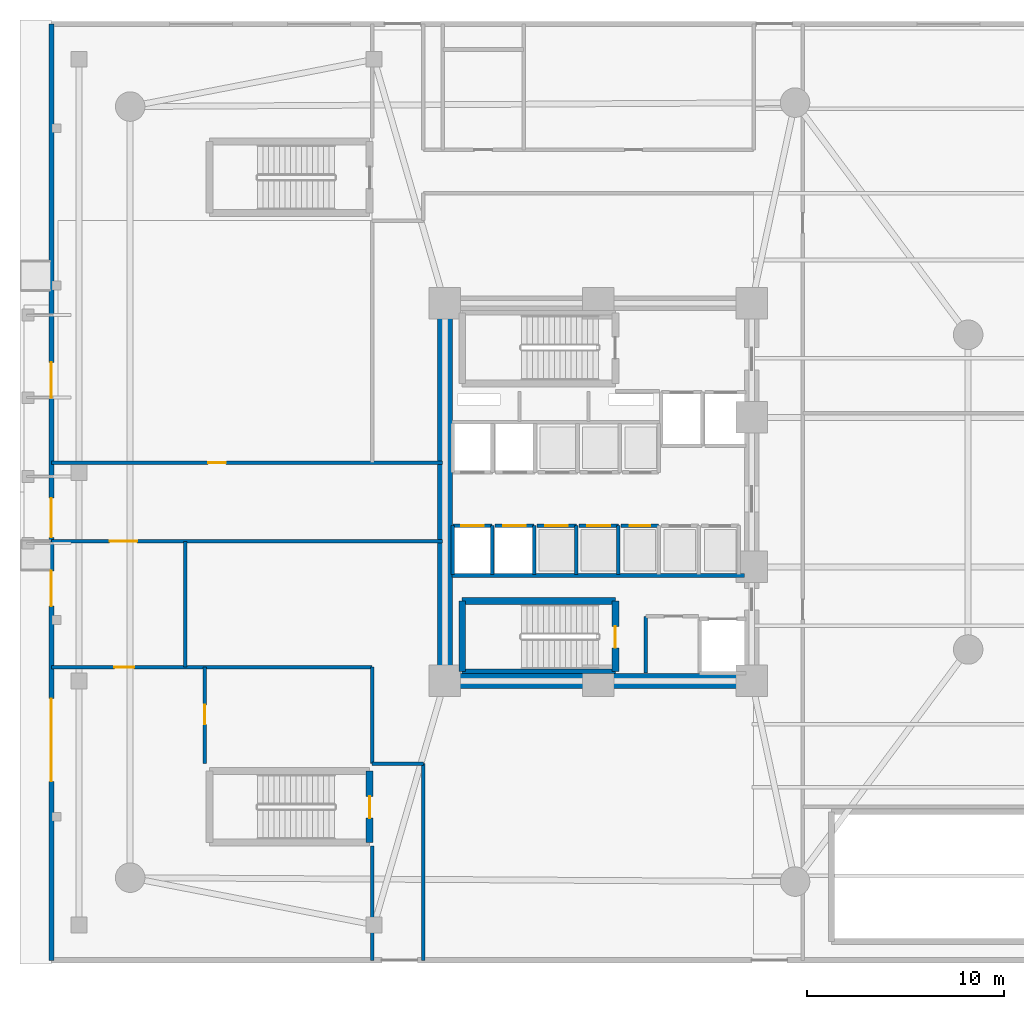
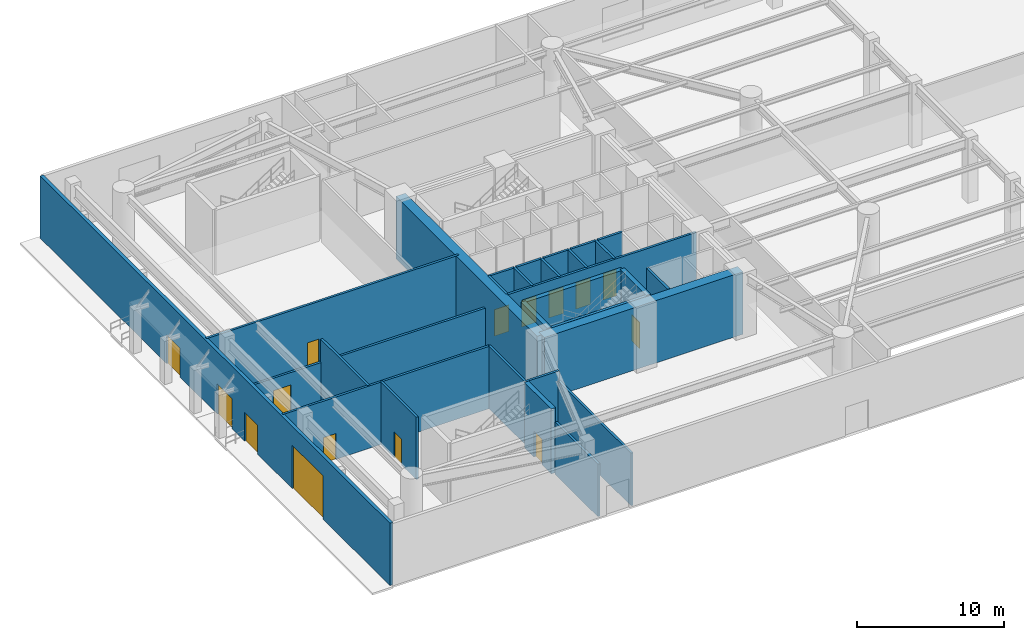
# One storey, part 6 of 16: 29 walls, 15 doors, 15 openings.
"""IFC4 building model written with IfcOpenShell, lengths in metres."""

from ifc_helpers import new_model, si_unit, direction, frame, frame_2d, origin, place, context, subcontext, project, spatial, rectangle, extrude, material, layer, layer_set, type_object, element, fill, save


model = new_model("IFC4")

# Units and contexts
model_context = context("Model", 3, precision=1e-05, world=origin(), true_north=direction((0.0, 1.0)))
body_context = subcontext(model_context, "Body", "Model", "MODEL_VIEW")
ifc_project = project(units=[si_unit("LENGTHUNIT", "METRE"), si_unit("AREAUNIT", "SQUARE_METRE"), si_unit("VOLUMEUNIT", "CUBIC_METRE"), si_unit("PLANEANGLEUNIT", "RADIAN"), si_unit("MASSUNIT", "GRAM", prefix="KILO")], contexts=[model_context])

# Site, building, storey
site_placement = place(None, origin())
site = spatial("IfcSite", under=ifc_project, at=site_placement, CompositionType="ELEMENT")
building_placement = place(site_placement, origin())
building = spatial("IfcBuilding", under=site, at=building_placement, Name="An Khanh Terracotta Commons", CompositionType="ELEMENT")
storey_placement = place(building_placement, origin())
storey = spatial("IfcBuildingStorey", under=building, at=storey_placement, Name="L01", CompositionType="ELEMENT", Elevation=0.0)

# Walls
ifc_material_1 = material(Name="Concrete C70/85", Category="concrete")
ifc_layer_1 = layer(ifc_material_1, 0.75, Name="Concrete C70/85")
ifc_layer_set_1 = layer_set([ifc_layer_1], Name="Concrete C70/85")
wall_type_1 = type_object("IfcWallType", Name="WALL-CORE-750", PredefinedType="SHEAR", material=ifc_layer_set_1)
wall_1_placement = place(storey_placement, frame((21.60009765625, 14.39990234375, 0.0), z_axis=(0.0, 0.0, 1.0), x_axis=(0.0, 1.0, 0.0)))
element("IfcWall", 1, at=wall_1_placement, inside=storey, type_object=wall_type_1, Name="L01 Core Wall CWALL-L01-W", PredefinedType="SHEAR", context=body_context, shape_type="SweptSolid", body=[
    extrude(rectangle(XDim=19.2001953125, YDim=0.75, at=frame_2d((9.60009765625, 0.0))), origin(), (0.0, 0.0, 1.0), 5.179931640625),
])
wall_2_placement = place(storey_placement, frame((37.199951171875, 14.39990234375, 0.0), z_axis=(0.0, 0.0, 1.0), x_axis=(-1.0, 0.0, 0.0)))
element("IfcWall", 2, at=wall_2_placement, inside=storey, type_object=wall_type_1, Name="L01 Core Wall CWALL-L01-S", PredefinedType="SHEAR", context=body_context, shape_type="SweptSolid", body=[
    extrude(rectangle(XDim=15.599853515625, YDim=0.75, at=frame_2d((7.7998046875, 0.0))), origin(), (0.0, 0.0, 1.0), 5.179931640625),
])
ifc_material_2 = material(Name="Fire-Rated Gypsum Board on Steel Stud", Category="steel")
ifc_layer_2 = layer(ifc_material_2, 0.179931640625, Name="Fire-Rated Gypsum Board on Steel Stud")
ifc_layer_set_2 = layer_set([ifc_layer_2], Name="Fire-Rated Gypsum Board on Steel Stud")
wall_type_2 = type_object("IfcWallType", Name="WALL-CORR-180", PredefinedType="PARTITIONING", material=ifc_layer_set_2)
wall_3_placement = place(storey_placement, frame((21.949951171875, 19.760009765625, 0.0), z_axis=(0.0, 0.0, 1.0), x_axis=(1.0, 0.0, 0.0)))
element("IfcWall", 3, at=wall_3_placement, inside=storey, type_object=wall_type_2, Name="L01 Core Wall SVW-L01-N", PredefinedType="PARTITIONING", context=body_context, shape_type="SweptSolid", body=[
    extrude(rectangle(XDim=14.8701171875, YDim=0.179931640625, at=frame_2d((7.43505859375, 0.0))), origin(), (0.0, 0.0, 1.0), 5.179931640625),
])
wall_4_placement = place(storey_placement, frame((31.820068359375, 14.800048828125, 0.0), z_axis=(0.0, 0.0, 1.0), x_axis=(0.0, 1.0, 0.0)))
element("IfcWall", 4, at=wall_4_placement, inside=storey, type_object=wall_type_2, Name="L01 Core Wall SSVCW-L01-W", PredefinedType="PARTITIONING", context=body_context, shape_type="SweptSolid", body=[
    extrude(rectangle(XDim=2.8798828125, YDim=0.179931640625, at=frame_2d((1.43994140625, 0.0))), origin(), (0.0, 0.0, 1.0), 5.179931640625),
])

# Wall, opening, door
wall_5_placement = place(storey_placement, frame((22.0, 22.300048828125, 0.0), z_axis=(0.0, 0.0, 1.0), x_axis=(1.0, 0.0, 0.0)))
wall_5 = element("IfcWall", 5, at=wall_5_placement, inside=storey, type_object=wall_type_2, Name="L01 Core Wall LSH-L01-PL-L3-N", PredefinedType="PARTITIONING", context=body_context, shape_type="SweptSolid", body=[
    extrude(rectangle(XDim=2.0, YDim=0.179931640625, at=frame_2d((1.0, 0.0))), origin(), (0.0, 0.0, 1.0), 5.179931640625),
])
opening_1_placement = place(wall_5_placement, frame((0.425048828125, 0.0, 0.0)))
opening_1 = element("IfcOpeningElement", 6, at=opening_1_placement, cuts=wall_5, Name="Opening LD-PL-L3-L01", PredefinedType="OPENING", context=body_context, shape_type="SweptSolid", body=[
    extrude(rectangle(XDim=1.14990234375, YDim=2.199951171875, at=frame_2d((0.574951171875, 1.10009765625))), frame((0.0, 0.099853515625, 0.0), z_axis=(0.0, -1.0, 0.0), x_axis=(1.0, 0.0, 0.0)), (0.0, 0.0, 1.0), 0.199951171875),
])
ifc_material_3 = material(Name="Brushed Stainless Steel Passenger Landing Door", Category="steel")
door_type_1 = type_object("IfcDoorType", Name="DOOR-LD-PAX-1150", OperationType="NOTDEFINED", PredefinedType="DOOR", material=ifc_material_3)
door_1_placement = place(opening_1_placement, origin())
door_1 = element("IfcDoor", 7, at=door_1_placement, inside=storey, type_object=door_type_1, Name="L01 Lift PL-L3 Sliding Landing Door", OperationType="DOUBLE_DOOR_SLIDING", OverallHeight=2.199951171875, OverallWidth=1.14990234375, PredefinedType="DOOR", context=body_context, shape_type="SweptSolid", body=[
    extrude(rectangle(XDim=1.14990234375, YDim=2.199951171875, at=frame_2d((0.574951171875, 1.10009765625))), frame((0.0, 0.02490234375, 0.0), z_axis=(0.0, -1.0, 0.0), x_axis=(1.0, 0.0, 0.0)), (0.0, 0.0, 1.0), 0.050048828125),
])
fill(opening_1, door_1)

# Walls
for number, where, z_axis, x_axis, name in (
    (8, (24.0, 19.800048828125, 0.0), (0.0, 0.0, 1.0), (0.0, 1.0, 0.0), "L01 Core Wall LSH-L01-PL-L3-E"),
    (9, (22.0, 22.300048828125, 0.0), (0.0, 0.0, 1.0), (0.0, -1.0, 0.0), "L01 Core Wall LSH-L01-PL-L3-W"),
):
    element("IfcWall", number, at=place(storey_placement, frame(where, z_axis=z_axis, x_axis=x_axis)), inside=storey, type_object=wall_type_2, Name=name, PredefinedType="PARTITIONING", context=body_context, shape_type="SweptSolid", body=[
        extrude(rectangle(XDim=2.5, YDim=0.179931640625, at=frame_2d((1.25, 0.0))), origin(), (0.0, 0.0, 1.0), 5.179931640625),
    ])

# Wall, opening, door
wall_6_placement = place(storey_placement, frame((24.139892578125, 22.300048828125, 0.0), z_axis=(0.0, 0.0, 1.0), x_axis=(1.0, 0.0, 0.0)))
wall_6 = element("IfcWall", 10, at=wall_6_placement, inside=storey, type_object=wall_type_2, Name="L01 Core Wall LSH-L01-PL-L4-N", PredefinedType="PARTITIONING", context=body_context, shape_type="SweptSolid", body=[
    extrude(rectangle(XDim=2.0, YDim=0.179931640625, at=frame_2d((1.0, 0.0))), origin(), (0.0, 0.0, 1.0), 5.179931640625),
])
opening_2_placement = place(wall_6_placement, frame((0.425048828125, 0.0, 0.0)))
opening_2 = element("IfcOpeningElement", 11, at=opening_2_placement, cuts=wall_6, Name="Opening LD-PL-L4-L01", PredefinedType="OPENING", context=body_context, shape_type="SweptSolid", body=[
    extrude(rectangle(XDim=1.14990234375, YDim=2.199951171875, at=frame_2d((0.574951171875, 1.10009765625))), frame((0.0, 0.099853515625, 0.0), z_axis=(0.0, -1.0, 0.0), x_axis=(1.0, 0.0, 0.0)), (0.0, 0.0, 1.0), 0.199951171875),
])
door_2_placement = place(opening_2_placement, origin())
door_2 = element("IfcDoor", 12, at=door_2_placement, inside=storey, type_object=door_type_1, Name="L01 Lift PL-L4 Sliding Landing Door", OperationType="DOUBLE_DOOR_SLIDING", OverallHeight=2.199951171875, OverallWidth=1.14990234375, PredefinedType="DOOR", context=body_context, shape_type="SweptSolid", body=[
    extrude(rectangle(XDim=1.14990234375, YDim=2.199951171875, at=frame_2d((0.574951171875, 1.10009765625))), frame((0.0, 0.02490234375, 0.0), z_axis=(0.0, -1.0, 0.0), x_axis=(1.0, 0.0, 0.0)), (0.0, 0.0, 1.0), 0.050048828125),
])
fill(opening_2, door_2)

# Wall
wall_7_placement = place(storey_placement, frame((26.139892578125, 19.800048828125, 0.0), z_axis=(0.0, 0.0, 1.0), x_axis=(0.0, 1.0, 0.0)))
element("IfcWall", 13, at=wall_7_placement, inside=storey, type_object=wall_type_2, Name="L01 Core Wall LSH-L01-PL-L4-E", PredefinedType="PARTITIONING", context=body_context, shape_type="SweptSolid", body=[
    extrude(rectangle(XDim=2.5, YDim=0.179931640625, at=frame_2d((1.25, 0.0))), origin(), (0.0, 0.0, 1.0), 5.179931640625),
])

# Wall, opening, door
wall_8_placement = place(storey_placement, frame((26.280029296875, 22.300048828125, 0.0), z_axis=(0.0, 0.0, 1.0), x_axis=(1.0, 0.0, 0.0)))
wall_8 = element("IfcWall", 14, at=wall_8_placement, inside=storey, type_object=wall_type_2, Name="L01 Core Wall LSH-L01-PL-M3-N", PredefinedType="PARTITIONING", context=body_context, shape_type="SweptSolid", body=[
    extrude(rectangle(XDim=2.0, YDim=0.179931640625, at=frame_2d((1.0, 0.0))), origin(), (0.0, 0.0, 1.0), 5.179931640625),
])
opening_3_placement = place(wall_8_placement, frame((0.425048828125, 0.0, 0.0)))
opening_3 = element("IfcOpeningElement", 15, at=opening_3_placement, cuts=wall_8, Name="Opening LD-PL-M3-L01", PredefinedType="OPENING", context=body_context, shape_type="SweptSolid", body=[
    extrude(rectangle(XDim=1.14990234375, YDim=2.199951171875, at=frame_2d((0.574951171875, 1.10009765625))), frame((0.0, 0.099853515625, 0.0), z_axis=(0.0, -1.0, 0.0), x_axis=(1.0, 0.0, 0.0)), (0.0, 0.0, 1.0), 0.199951171875),
])
door_3_placement = place(opening_3_placement, origin())
door_3 = element("IfcDoor", 16, at=door_3_placement, inside=storey, type_object=door_type_1, Name="L01 Lift PL-M3 Sliding Landing Door", OperationType="DOUBLE_DOOR_SLIDING", OverallHeight=2.199951171875, OverallWidth=1.14990234375, PredefinedType="DOOR", context=body_context, shape_type="SweptSolid", body=[
    extrude(rectangle(XDim=1.14990234375, YDim=2.199951171875, at=frame_2d((0.574951171875, 1.10009765625))), frame((0.0, 0.02490234375, 0.0), z_axis=(0.0, -1.0, 0.0), x_axis=(1.0, 0.0, 0.0)), (0.0, 0.0, 1.0), 0.050048828125),
])
fill(opening_3, door_3)

# Wall
wall_9_placement = place(storey_placement, frame((28.280029296875, 19.800048828125, 0.0), z_axis=(0.0, 0.0, 1.0), x_axis=(0.0, 1.0, 0.0)))
element("IfcWall", 17, at=wall_9_placement, inside=storey, type_object=wall_type_2, Name="L01 Core Wall LSH-L01-PL-M3-E", PredefinedType="PARTITIONING", context=body_context, shape_type="SweptSolid", body=[
    extrude(rectangle(XDim=2.5, YDim=0.179931640625, at=frame_2d((1.25, 0.0))), origin(), (0.0, 0.0, 1.0), 5.179931640625),
])

# Wall, opening, door
wall_10_placement = place(storey_placement, frame((28.419921875, 22.300048828125, 0.0), z_axis=(0.0, 0.0, 1.0), x_axis=(1.0, 0.0, 0.0)))
wall_10 = element("IfcWall", 18, at=wall_10_placement, inside=storey, type_object=wall_type_2, Name="L01 Core Wall LSH-L01-PL-M4-N", PredefinedType="PARTITIONING", context=body_context, shape_type="SweptSolid", body=[
    extrude(rectangle(XDim=2.0, YDim=0.179931640625, at=frame_2d((1.0, 0.0))), origin(), (0.0, 0.0, 1.0), 5.179931640625),
])
opening_4_placement = place(wall_10_placement, frame((0.425048828125, 0.0, 0.0)))
opening_4 = element("IfcOpeningElement", 19, at=opening_4_placement, cuts=wall_10, Name="Opening LD-PL-M4-L01", PredefinedType="OPENING", context=body_context, shape_type="SweptSolid", body=[
    extrude(rectangle(XDim=1.14990234375, YDim=2.199951171875, at=frame_2d((0.574951171875, 1.10009765625))), frame((0.0, 0.099853515625, 0.0), z_axis=(0.0, -1.0, 0.0), x_axis=(1.0, 0.0, 0.0)), (0.0, 0.0, 1.0), 0.199951171875),
])
door_4_placement = place(opening_4_placement, origin())
door_4 = element("IfcDoor", 20, at=door_4_placement, inside=storey, type_object=door_type_1, Name="L01 Lift PL-M4 Sliding Landing Door", OperationType="DOUBLE_DOOR_SLIDING", OverallHeight=2.199951171875, OverallWidth=1.14990234375, PredefinedType="DOOR", context=body_context, shape_type="SweptSolid", body=[
    extrude(rectangle(XDim=1.14990234375, YDim=2.199951171875, at=frame_2d((0.574951171875, 1.10009765625))), frame((0.0, 0.02490234375, 0.0), z_axis=(0.0, -1.0, 0.0), x_axis=(1.0, 0.0, 0.0)), (0.0, 0.0, 1.0), 0.050048828125),
])
fill(opening_4, door_4)

# Wall
wall_11_placement = place(storey_placement, frame((30.419921875, 19.800048828125, 0.0), z_axis=(0.0, 0.0, 1.0), x_axis=(0.0, 1.0, 0.0)))
element("IfcWall", 21, at=wall_11_placement, inside=storey, type_object=wall_type_2, Name="L01 Core Wall LSH-L01-PL-M4-E", PredefinedType="PARTITIONING", context=body_context, shape_type="SweptSolid", body=[
    extrude(rectangle(XDim=2.5, YDim=0.179931640625, at=frame_2d((1.25, 0.0))), origin(), (0.0, 0.0, 1.0), 5.179931640625),
])

# Wall, opening, door
wall_12_placement = place(storey_placement, frame((30.56005859375, 22.300048828125, 0.0), z_axis=(0.0, 0.0, 1.0), x_axis=(1.0, 0.0, 0.0)))
wall_12 = element("IfcWall", 22, at=wall_12_placement, inside=storey, type_object=wall_type_2, Name="L01 Core Wall LSH-L01-PL-H2-N", PredefinedType="PARTITIONING", context=body_context, shape_type="SweptSolid", body=[
    extrude(rectangle(XDim=1.89990234375, YDim=0.179931640625, at=frame_2d((0.949951171875, 0.0))), origin(), (0.0, 0.0, 1.0), 5.179931640625),
])
opening_5_placement = place(wall_12_placement, frame((0.425048828125, 0.0, 0.0)))
opening_5 = element("IfcOpeningElement", 23, at=opening_5_placement, cuts=wall_12, Name="Opening LD-PL-H2-L01", PredefinedType="OPENING", context=body_context, shape_type="SweptSolid", body=[
    extrude(rectangle(XDim=1.050048828125, YDim=2.199951171875, at=frame_2d((0.52490234375, 1.10009765625))), frame((0.0, 0.099853515625, 0.0), z_axis=(0.0, -1.0, 0.0), x_axis=(1.0, 0.0, 0.0)), (0.0, 0.0, 1.0), 0.199951171875),
])
ifc_material_4 = material(Name="Brushed Stainless Steel High-Rise Landing Door", Category="steel")
door_type_2 = type_object("IfcDoorType", Name="DOOR-LD-PAXH-1050", OperationType="NOTDEFINED", PredefinedType="DOOR", material=ifc_material_4)
door_5_placement = place(opening_5_placement, origin())
door_5 = element("IfcDoor", 24, at=door_5_placement, inside=storey, type_object=door_type_2, Name="L01 Lift PL-H2 Sliding Landing Door", OperationType="DOUBLE_DOOR_SLIDING", OverallHeight=2.199951171875, OverallWidth=1.050048828125, PredefinedType="DOOR", context=body_context, shape_type="SweptSolid", body=[
    extrude(rectangle(XDim=1.050048828125, YDim=2.199951171875, at=frame_2d((0.52490234375, 1.10009765625))), frame((0.0, 0.02490234375, 0.0), z_axis=(0.0, -1.0, 0.0), x_axis=(1.0, 0.0, 0.0)), (0.0, 0.0, 1.0), 0.050048828125),
])
fill(opening_5, door_5)

# Wall
ifc_material_5 = material(Name="Double-Layer Fire-Rated Gypsum Board on Mineral Fibre Core")
ifc_layer_3 = layer(ifc_material_5, 0.179931640625, Name="Double-Layer Fire-Rated Gypsum Board on Mineral Fibre Core")
ifc_layer_set_3 = layer_set([ifc_layer_3], Name="Double-Layer Fire-Rated Gypsum Board on Mineral Fibre Core")
wall_type_3 = type_object("IfcWallType", Name="WALL-EXITPASS-180", PredefinedType="PARTITIONING", material=ifc_layer_set_3)
wall_13_placement = place(storey_placement, frame((17.89990234375, 10.199951171875, 0.0), z_axis=(0.0, 0.0, 1.0), x_axis=(1.0, 0.0, 0.0)))
element("IfcWall", 25, at=wall_13_placement, inside=storey, type_object=wall_type_3, Name="L01 Interior Partition IW-L01-E002", PredefinedType="PARTITIONING", context=body_context, shape_type="SweptSolid", body=[
    extrude(rectangle(XDim=2.60009765625, YDim=0.179931640625, at=frame_2d((1.300048828125, 0.0))), origin(), (0.0, 0.0, 1.0), 5.179931640625),
])

# Wall, opening, door
wall_14_placement = place(storey_placement, frame((1.60009765625, 15.10009765625, 0.0), z_axis=(0.0, 0.0, 1.0), x_axis=(1.0, 0.0, 0.0)))
wall_14 = element("IfcWall", 26, at=wall_14_placement, inside=storey, type_object=wall_type_3, Name="L01 Interior Partition IW-L01-E003", PredefinedType="PARTITIONING", context=body_context, shape_type="SweptSolid", body=[
    extrude(rectangle(XDim=16.2998046875, YDim=0.179931640625, at=frame_2d((8.14990234375, 0.0))), origin(), (0.0, 0.0, 1.0), 5.179931640625),
])
opening_6_placement = place(wall_14_placement, frame((3.199951171875, 0.0, 0.0)))
opening_6 = element("IfcOpeningElement", 27, at=opening_6_placement, cuts=wall_14, Name="Opening D-EP", PredefinedType="OPENING", context=body_context, shape_type="SweptSolid", body=[
    extrude(rectangle(XDim=1.0, YDim=2.14990234375, at=frame_2d((0.5, 1.074951171875))), frame((0.0, 0.099853515625, 0.0), z_axis=(0.0, -1.0, 0.0), x_axis=(1.0, 0.0, 0.0)), (0.0, 0.0, 1.0), 0.199951171875),
])
ifc_material_6 = material(Name="Fire-Rated Insulated Steel Leaf", Category="steel")
door_type_3 = type_object("IfcDoorType", Name="DOOR-EXITPASS-1000", OperationType="NOTDEFINED", PredefinedType="DOOR", material=ifc_material_6)
door_6_placement = place(opening_6_placement, origin())
door_6 = element("IfcDoor", 28, at=door_6_placement, inside=storey, type_object=door_type_3, Name="L01 LDK Loading Dock and Goods Receiving Bay Door", OperationType="SINGLE_SWING_LEFT", OverallHeight=2.14990234375, OverallWidth=1.0, PredefinedType="DOOR", context=body_context, shape_type="SweptSolid", body=[
    extrude(rectangle(XDim=1.0, YDim=2.14990234375, at=frame_2d((0.5, 1.074951171875))), frame((0.0, 0.02490234375, 0.0), z_axis=(0.0, -1.0, 0.0), x_axis=(1.0, 0.0, 0.0)), (0.0, 0.0, 1.0), 0.050048828125),
])
fill(opening_6, door_6)

wall_15_placement = place(storey_placement, frame((1.60009765625, 21.5, 0.0), z_axis=(0.0, 0.0, 1.0), x_axis=(1.0, 0.0, 0.0)))
wall_15 = element("IfcWall", 29, at=wall_15_placement, inside=storey, type_object=wall_type_3, Name="L01 Interior Partition IW-L01-E004", PredefinedType="PARTITIONING", context=body_context, shape_type="SweptSolid", body=[
    extrude(rectangle(XDim=19.8798828125, YDim=0.179931640625, at=frame_2d((9.93994140625, 0.0))), origin(), (0.0, 0.0, 1.0), 3.281982421875),
])
opening_7_placement = place(wall_15_placement, frame((2.9599609375, 0.0, 0.0)))
opening_7 = element("IfcOpeningElement", 30, at=opening_7_placement, cuts=wall_15, Name="Opening D-PL", PredefinedType="OPENING", context=body_context, shape_type="SweptSolid", body=[
    extrude(rectangle(XDim=1.39990234375, YDim=2.25, at=frame_2d((0.699951171875, 1.125))), frame((0.0, 0.099853515625, 0.0), z_axis=(0.0, -1.0, 0.0), x_axis=(1.0, 0.0, 0.0)), (0.0, 0.0, 1.0), 0.199951171875),
])
ifc_material_7 = material(Name="Heavy-Duty Acoustic Steel Double Plant Door", Category="steel")
door_type_4 = type_object("IfcDoorType", Name="DOOR-PLANT-1400", OperationType="NOTDEFINED", PredefinedType="DOOR", material=ifc_material_7)
door_7_placement = place(opening_7_placement, origin())
door_7 = element("IfcDoor", 31, at=door_7_placement, inside=storey, type_object=door_type_4, Name="L01 FCC Fire Command Centre Door", OperationType="DOUBLE_DOOR_SINGLE_SWING", OverallHeight=2.25, OverallWidth=1.39990234375, PredefinedType="DOOR", context=body_context, shape_type="SweptSolid", body=[
    extrude(rectangle(XDim=1.39990234375, YDim=2.25, at=frame_2d((0.699951171875, 1.125))), frame((0.0, 0.02490234375, 0.0), z_axis=(0.0, -1.0, 0.0), x_axis=(1.0, 0.0, 0.0)), (0.0, 0.0, 1.0), 0.050048828125),
])
fill(opening_7, door_7)

wall_16_placement = place(storey_placement, frame((1.60009765625, 25.5, 0.0), z_axis=(0.0, 0.0, 1.0), x_axis=(1.0, 0.0, 0.0)))
wall_16 = element("IfcWall", 32, at=wall_16_placement, inside=storey, type_object=wall_type_3, Name="L01 Interior Partition IW-L01-E005", PredefinedType="PARTITIONING", context=body_context, shape_type="SweptSolid", body=[
    extrude(rectangle(XDim=19.8798828125, YDim=0.179931640625, at=frame_2d((9.93994140625, 0.0))), origin(), (0.0, 0.0, 1.0), 5.179931640625),
])
opening_8_placement = place(wall_16_placement, frame((7.9599609375, 0.0, 0.0)))
opening_8 = element("IfcOpeningElement", 33, at=opening_8_placement, cuts=wall_16, Name="Opening D-SV", PredefinedType="OPENING", context=body_context, shape_type="SweptSolid", body=[
    extrude(rectangle(XDim=0.89990234375, YDim=2.050048828125, at=frame_2d((0.449951171875, 1.02490234375))), frame((0.0, 0.099853515625, 0.0), z_axis=(0.0, -1.0, 0.0), x_axis=(1.0, 0.0, 0.0)), (0.0, 0.0, 1.0), 0.199951171875),
])
ifc_material_8 = material(Name="Fire-Rated Powder-Coated Steel Door", Category="steel")
door_type_5 = type_object("IfcDoorType", Name="DOOR-SERV-900", OperationType="NOTDEFINED", PredefinedType="DOOR", material=ifc_material_8)
door_8_placement = place(opening_8_placement, origin())
door_8 = element("IfcDoor", 34, at=door_8_placement, inside=storey, type_object=door_type_5, Name="L01 LOB Main Residential Reception Lobby Door", OperationType="SINGLE_SWING_RIGHT", OverallHeight=2.050048828125, OverallWidth=0.89990234375, PredefinedType="DOOR", context=body_context, shape_type="SweptSolid", body=[
    extrude(rectangle(XDim=0.89990234375, YDim=2.050048828125, at=frame_2d((0.449951171875, 1.02490234375))), frame((0.0, 0.02490234375, 0.0), z_axis=(0.0, -1.0, 0.0), x_axis=(1.0, 0.0, 0.0)), (0.0, 0.0, 1.0), 0.050048828125),
])
fill(opening_8, door_8)

# Wall
wall_17_placement = place(storey_placement, frame((8.39990234375, 15.10009765625, 0.0), z_axis=(0.0, 0.0, 1.0), x_axis=(0.0, 1.0, 0.0)))
element("IfcWall", 35, at=wall_17_placement, inside=storey, type_object=wall_type_3, Name="L01 Interior Partition IW-L01-E011", PredefinedType="PARTITIONING", context=body_context, shape_type="SweptSolid", body=[
    extrude(rectangle(XDim=6.39990234375, YDim=0.179931640625, at=frame_2d((3.199951171875, 0.0))), origin(), (0.0, 0.0, 1.0), 5.179931640625),
])

# Wall, opening, door
wall_18_placement = place(storey_placement, frame((9.39990234375, 10.199951171875, 0.0), z_axis=(0.0, 0.0, 1.0), x_axis=(0.0, 1.0, 0.0)))
wall_18 = element("IfcWall", 36, at=wall_18_placement, inside=storey, type_object=wall_type_3, Name="L01 Interior Partition IW-L01-E012", PredefinedType="PARTITIONING", context=body_context, shape_type="SweptSolid", body=[
    extrude(rectangle(XDim=4.900146484375, YDim=0.179931640625, at=frame_2d((2.4501953125, 0.0))), origin(), (0.0, 0.0, 1.0), 5.179931640625),
])
opening_9_placement = place(wall_18_placement, frame((1.989990234375, 0.0, 0.0)))
opening_9 = element("IfcOpeningElement", 37, at=opening_9_placement, cuts=wall_18, Name="Opening D-EP", PredefinedType="OPENING", context=body_context, shape_type="SweptSolid", body=[
    extrude(rectangle(XDim=1.0, YDim=2.14990234375, at=frame_2d((0.5, 1.074951171875))), frame((0.0, 0.099853515625, 0.0), z_axis=(0.0, -1.0, 0.0), x_axis=(1.0, 0.0, 0.0)), (0.0, 0.0, 1.0), 0.199951171875),
])
door_9_placement = place(opening_9_placement, origin())
door_9 = element("IfcDoor", 38, at=door_9_placement, inside=storey, type_object=door_type_3, Name="L01 REF Refuse and Separated Recycling Store Door", OperationType="SINGLE_SWING_RIGHT", OverallHeight=2.14990234375, OverallWidth=1.0, PredefinedType="DOOR", context=body_context, shape_type="SweptSolid", body=[
    extrude(rectangle(XDim=1.0, YDim=2.14990234375, at=frame_2d((0.5, 1.074951171875))), frame((0.0, 0.02490234375, 0.0), z_axis=(0.0, -1.0, 0.0), x_axis=(1.0, 0.0, 0.0)), (0.0, 0.0, 1.0), 0.050048828125),
])
fill(opening_9, door_9)

# Walls
wall_19_placement = place(storey_placement, frame((17.89990234375, 0.199951171875, 0.0), z_axis=(0.0, 0.0, 1.0), x_axis=(0.0, 1.0, 0.0)))
element("IfcWall", 39, at=wall_19_placement, inside=storey, type_object=wall_type_3, Name="L01 Interior Partition IW-L01-E013", PredefinedType="PARTITIONING", context=body_context, shape_type="SweptSolid", body=[
    extrude(rectangle(XDim=5.800048828125, YDim=0.179931640625, at=frame_2d((2.89990234375, 0.0))), origin(), (0.0, 0.0, 1.0), 4.362060546875),
])
wall_20_placement = place(storey_placement, frame((17.89990234375, 10.199951171875, 0.0), z_axis=(0.0, 0.0, 1.0), x_axis=(0.0, 1.0, 0.0)))
element("IfcWall", 40, at=wall_20_placement, inside=storey, type_object=wall_type_3, Name="L01 Interior Partition IW-L01-E014", PredefinedType="PARTITIONING", context=body_context, shape_type="SweptSolid", body=[
    extrude(rectangle(XDim=4.900146484375, YDim=0.179931640625, at=frame_2d((2.4501953125, 0.0))), origin(), (0.0, 0.0, 1.0), 5.179931640625),
])
wall_21_placement = place(storey_placement, frame((20.5, 0.199951171875, 0.0), z_axis=(0.0, 0.0, 1.0), x_axis=(0.0, 1.0, 0.0)))
element("IfcWall", 41, at=wall_21_placement, inside=storey, type_object=wall_type_3, Name="L01 Interior Partition IW-L01-E017", PredefinedType="PARTITIONING", context=body_context, shape_type="SweptSolid", body=[
    extrude(rectangle(XDim=10.0, YDim=0.179931640625, at=frame_2d((5.0, 0.0))), origin(), (0.0, 0.0, 1.0), 4.362060546875),
])
ifc_material_9 = material(Name="Acoustic Double-Stud Gypsum and Mineral Wool")
ifc_layer_4 = layer(ifc_material_9, 0.219970703125, Name="Acoustic Double-Stud Gypsum and Mineral Wool")
ifc_layer_set_4 = layer_set([ifc_layer_4], Name="Acoustic Double-Stud Gypsum and Mineral Wool")
wall_type_4 = type_object("IfcWallType", Name="WALL-PARTY-220", PredefinedType="PARTITIONING", material=ifc_layer_set_4)
wall_22_placement = place(storey_placement, frame((22.47998046875, 14.889892578125, 0.0), z_axis=(0.0, 0.0, 1.0), x_axis=(1.0, 0.0, 0.0)))
element("IfcWall", 42, at=wall_22_placement, inside=storey, type_object=wall_type_4, Name="L01 Core Wall STW-L01-S-S", PredefinedType="PARTITIONING", context=body_context, shape_type="SweptSolid", body=[
    extrude(rectangle(XDim=7.7900390625, YDim=0.219970703125, at=frame_2d((3.89501953125, 0.0))), origin(), (0.0, 0.0, 1.0), 5.179931640625),
])

# Wall, openings, doors
ifc_material_10 = material(Name="Concrete C40/50", Category="concrete")
ifc_layer_5 = layer(ifc_material_10, 0.260009765625, Name="Concrete C40/50")
ifc_layer_set_5 = layer_set([ifc_layer_5], Name="Concrete C40/50")
wall_type_5 = type_object("IfcWallType", Name="WALL-POD-260", PredefinedType="SOLIDWALL", material=ifc_layer_set_5)
wall_23_placement = place(storey_placement, frame((1.60009765625, 0.199951171875, 0.0), z_axis=(0.0, 0.0, 1.0), x_axis=(0.0, 1.0, 0.0)))
wall_23 = element("IfcWall", 43, at=wall_23_placement, inside=storey, type_object=wall_type_5, Name="L01 West Boulevard Wall", PredefinedType="SOLIDWALL", context=body_context, shape_type="SweptSolid", body=[
    extrude(rectangle(XDim=47.60009765625, YDim=0.260009765625, at=frame_2d((23.800048828125, 0.0))), origin(), (0.0, 0.0, 1.0), 5.179931640625),
])
opening_10_placement = place(wall_23_placement, frame((9.10009765625, 0.0, 0.0)))
opening_10 = element("IfcOpeningElement", 44, at=opening_10_placement, cuts=wall_23, Name="Opening VG-02", PredefinedType="OPENING", context=body_context, shape_type="SweptSolid", body=[
    extrude(rectangle(XDim=4.199951171875, YDim=3.60009765625, at=frame_2d((2.10009765625, 1.800048828125))), frame((0.0, 0.139892578125, 0.0), z_axis=(0.0, -1.0, 0.0), x_axis=(1.0, 0.0, 0.0)), (0.0, 0.0, 1.0), 0.280029296875),
])
opening_11_placement = place(wall_23_placement, frame((21.5, 0.0, 0.0)))
opening_11 = element("IfcOpeningElement", 45, at=opening_11_placement, cuts=wall_23, Name="Opening EX-05", PredefinedType="OPENING", context=body_context, shape_type="SweptSolid", body=[
    extrude(rectangle(XDim=2.0, YDim=2.5, at=frame_2d((1.0, 1.25))), frame((0.0, 0.139892578125, 0.0), z_axis=(0.0, -1.0, 0.0), x_axis=(1.0, 0.0, 0.0)), (0.0, 0.0, 1.0), 0.280029296875),
])
opening_12_placement = place(wall_23_placement, frame((28.60009765625, 0.0, 0.0)))
opening_12 = element("IfcOpeningElement", 46, at=opening_12_placement, cuts=wall_23, Name="Opening EX-06", PredefinedType="OPENING", context=body_context, shape_type="SweptSolid", body=[
    extrude(rectangle(XDim=1.800048828125, YDim=2.39990234375, at=frame_2d((0.89990234375, 1.199951171875))), frame((0.0, 0.139892578125, 0.0), z_axis=(0.0, -1.0, 0.0), x_axis=(1.0, 0.0, 0.0)), (0.0, 0.0, 1.0), 0.280029296875),
])
opening_13_placement = place(wall_23_placement, frame((18.0, 0.0, 0.0)))
opening_13 = element("IfcOpeningElement", 47, at=opening_13_placement, cuts=wall_23, Name="Opening EX-07", PredefinedType="OPENING", context=body_context, shape_type="SweptSolid", body=[
    extrude(rectangle(XDim=1.800048828125, YDim=2.39990234375, at=frame_2d((0.89990234375, 1.199951171875))), frame((0.0, 0.139892578125, 0.0), z_axis=(0.0, -1.0, 0.0), x_axis=(1.0, 0.0, 0.0)), (0.0, 0.0, 1.0), 0.280029296875),
])
ifc_material_11 = material(Name="Anodised Aluminium and Toughened Glass", Category="aluminium")
door_type_6 = type_object("IfcDoorType", Name="DOOR-EXT-EXIT-1800", OperationType="NOTDEFINED", PredefinedType="DOOR", material=ifc_material_11)
door_10_placement = place(opening_12_placement, origin())
door_10 = element("IfcDoor", 48, at=door_10_placement, inside=storey, type_object=door_type_6, Name="L01 Reception Lobby Boulevard Exit Door EX-06", OperationType="DOUBLE_DOOR_SINGLE_SWING", OverallHeight=2.39990234375, OverallWidth=1.800048828125, PredefinedType="DOOR", context=body_context, shape_type="SweptSolid", body=[
    extrude(rectangle(XDim=1.800048828125, YDim=2.39990234375, at=frame_2d((0.89990234375, 1.199951171875))), frame((0.0, 0.02490234375, 0.0), z_axis=(0.0, -1.0, 0.0), x_axis=(1.0, 0.0, 0.0)), (0.0, 0.0, 1.0), 0.050048828125),
])
fill(opening_12, door_10)
door_11_placement = place(opening_13_placement, origin())
door_11 = element("IfcDoor", 49, at=door_11_placement, inside=storey, type_object=door_type_6, Name="L01 Fire Command Centre Street Access Door EX-07", OperationType="DOUBLE_DOOR_SINGLE_SWING", OverallHeight=2.39990234375, OverallWidth=1.800048828125, PredefinedType="DOOR", context=body_context, shape_type="SweptSolid", body=[
    extrude(rectangle(XDim=1.800048828125, YDim=2.39990234375, at=frame_2d((0.89990234375, 1.199951171875))), frame((0.0, 0.02490234375, 0.0), z_axis=(0.0, -1.0, 0.0), x_axis=(1.0, 0.0, 0.0)), (0.0, 0.0, 1.0), 0.050048828125),
])
fill(opening_13, door_11)
door_type_7 = type_object("IfcDoorType", Name="DOOR-EXT-LOBBY-2000", OperationType="NOTDEFINED", PredefinedType="DOOR", material=ifc_material_11)
door_12_placement = place(opening_11_placement, origin())
door_12 = element("IfcDoor", 50, at=door_12_placement, inside=storey, type_object=door_type_7, Name="L01 West Boulevard Main Entrance Door EX-05", OperationType="DOUBLE_DOOR_SINGLE_SWING", OverallHeight=2.5, OverallWidth=2.0, PredefinedType="DOOR", context=body_context, shape_type="SweptSolid", body=[
    extrude(rectangle(XDim=2.0, YDim=2.5, at=frame_2d((1.0, 1.25))), frame((0.0, 0.02490234375, 0.0), z_axis=(0.0, -1.0, 0.0), x_axis=(1.0, 0.0, 0.0)), (0.0, 0.0, 1.0), 0.050048828125),
])
fill(opening_11, door_12)
ifc_material_12 = material(Name="Insulated Steel S355J2", Category="steel")
door_type_8 = type_object("IfcDoorType", Name="GATE-DOCK-4200", OperationType="NOTDEFINED", PredefinedType="GATE", material=ifc_material_12)
door_13_placement = place(opening_10_placement, origin())
door_13 = element("IfcDoor", 51, at=door_13_placement, inside=storey, type_object=door_type_8, Name="Loading Dock Insulated Roller Shutter VG-02", OperationType="ROLLINGUP", OverallHeight=3.60009765625, OverallWidth=4.199951171875, PredefinedType="GATE", context=body_context, shape_type="SweptSolid", body=[
    extrude(rectangle(XDim=4.199951171875, YDim=3.60009765625, at=frame_2d((2.10009765625, 1.800048828125))), frame((0.0, 0.02490234375, 0.0), z_axis=(0.0, -1.0, 0.0), x_axis=(1.0, 0.0, 0.0)), (0.0, 0.0, 1.0), 0.050048828125),
])
fill(opening_10, door_13)

# Wall, opening, door
ifc_material_13 = material(Name="Concrete C50/60", Category="concrete")
ifc_layer_6 = layer(ifc_material_13, 0.35009765625, Name="Concrete C50/60")
ifc_layer_set_6 = layer_set([ifc_layer_6], Name="Concrete C50/60")
wall_type_6 = type_object("IfcWallType", Name="WALL-SHAFT-350", PredefinedType="SOLIDWALL", material=ifc_layer_set_6)
wall_24_placement = place(storey_placement, frame((17.77001953125, 6.179931640625, 0.0), z_axis=(0.0, 0.0, 1.0), x_axis=(0.0, 1.0, 0.0)))
wall_24 = element("IfcWall", 52, at=wall_24_placement, inside=storey, type_object=wall_type_6, Name="L01 Podium Stair ST-P1 E Wall", PredefinedType="SOLIDWALL", context=body_context, shape_type="SweptSolid", body=[
    extrude(rectangle(XDim=3.64013671875, YDim=0.35009765625, at=frame_2d((1.820068359375, 0.0))), origin(), (0.0, 0.0, 1.0), 5.39990234375),
])
opening_14_placement = place(wall_24_placement, frame((1.25, 0.0, 0.0)))
opening_14 = element("IfcOpeningElement", 53, at=opening_14_placement, cuts=wall_24, Name="Opening D-ST", PredefinedType="OPENING", context=body_context, shape_type="SweptSolid", body=[
    extrude(rectangle(XDim=1.10009765625, YDim=2.14990234375, at=frame_2d((0.550048828125, 1.074951171875))), frame((0.0, 0.18505859375, 0.0), z_axis=(0.0, -1.0, 0.0), x_axis=(1.0, 0.0, 0.0)), (0.0, 0.0, 1.0), 0.3701171875),
])
ifc_material_14 = material(Name="Fire-Rated Steel Leaf and Frame", Category="steel")
door_type_9 = type_object("IfcDoorType", Name="DOOR-STAIR-1100", OperationType="NOTDEFINED", PredefinedType="DOOR", material=ifc_material_14)
door_14_placement = place(opening_14_placement, origin())
door_14 = element("IfcDoor", 54, at=door_14_placement, inside=storey, type_object=door_type_9, Name="L01 Podium Stair ST-P1 Fire Door", OperationType="SINGLE_SWING_LEFT", OverallHeight=2.14990234375, OverallWidth=1.10009765625, PredefinedType="DOOR", context=body_context, shape_type="SweptSolid", body=[
    extrude(rectangle(XDim=1.10009765625, YDim=2.14990234375, at=frame_2d((0.550048828125, 1.074951171875))), frame((0.0, 0.02490234375, 0.0), z_axis=(0.0, -1.0, 0.0), x_axis=(1.0, 0.0, 0.0)), (0.0, 0.0, 1.0), 0.050048828125),
])
fill(opening_14, door_14)

# Walls
wall_25_placement = place(storey_placement, frame((22.47998046875, 18.469970703125, 0.0), z_axis=(0.0, 0.0, 1.0), x_axis=(1.0, 0.0, 0.0)))
element("IfcWall", 55, at=wall_25_placement, inside=storey, type_object=wall_type_6, Name="L01 Core Wall STW-L01-S-N", PredefinedType="SOLIDWALL", context=body_context, shape_type="SweptSolid", body=[
    extrude(rectangle(XDim=7.7900390625, YDim=0.35009765625, at=frame_2d((3.89501953125, 0.0))), origin(), (0.0, 0.0, 1.0), 5.179931640625),
])
wall_26_placement = place(storey_placement, frame((22.47998046875, 14.889892578125, 0.0), z_axis=(0.0, 0.0, 1.0), x_axis=(0.0, 1.0, 0.0)))
element("IfcWall", 56, at=wall_26_placement, inside=storey, type_object=wall_type_6, Name="L01 Core Wall STW-L01-S-W", PredefinedType="SOLIDWALL", context=body_context, shape_type="SweptSolid", body=[
    extrude(rectangle(XDim=3.580078125, YDim=0.35009765625, at=frame_2d((1.7900390625, 0.0))), origin(), (0.0, 0.0, 1.0), 5.179931640625),
])

# Wall, opening, door
wall_27_placement = place(storey_placement, frame((30.27001953125, 14.889892578125, 0.0), z_axis=(0.0, 0.0, 1.0), x_axis=(0.0, 1.0, 0.0)))
wall_27 = element("IfcWall", 57, at=wall_27_placement, inside=storey, type_object=wall_type_6, Name="L01 Core Wall STW-L01-S-E", PredefinedType="SOLIDWALL", context=body_context, shape_type="SweptSolid", body=[
    extrude(rectangle(XDim=3.580078125, YDim=0.35009765625, at=frame_2d((1.7900390625, 0.0))), origin(), (0.0, 0.0, 1.0), 5.179931640625),
])
opening_15_placement = place(wall_27_placement, frame((1.18994140625, 0.0, 0.0)))
opening_15 = element("IfcOpeningElement", 58, at=opening_15_placement, cuts=wall_27, Name="Opening D-ST", PredefinedType="OPENING", context=body_context, shape_type="SweptSolid", body=[
    extrude(rectangle(XDim=1.10009765625, YDim=2.14990234375, at=frame_2d((0.550048828125, 1.074951171875))), frame((0.0, 0.18505859375, 0.0), z_axis=(0.0, -1.0, 0.0), x_axis=(1.0, 0.0, 0.0)), (0.0, 0.0, 1.0), 0.3701171875),
])
door_15_placement = place(opening_15_placement, origin())
door_15 = element("IfcDoor", 59, at=door_15_placement, inside=storey, type_object=door_type_9, Name="L01 Stair ST-02 Fire Door", OperationType="SINGLE_SWING_LEFT", OverallHeight=2.14990234375, OverallWidth=1.10009765625, PredefinedType="DOOR", context=body_context, shape_type="SweptSolid", body=[
    extrude(rectangle(XDim=1.10009765625, YDim=2.14990234375, at=frame_2d((0.550048828125, 1.074951171875))), frame((0.0, 0.02490234375, 0.0), z_axis=(0.0, -1.0, 0.0), x_axis=(1.0, 0.0, 0.0)), (0.0, 0.0, 1.0), 0.050048828125),
])
fill(opening_15, door_15)

save(model, "model.ifc")
